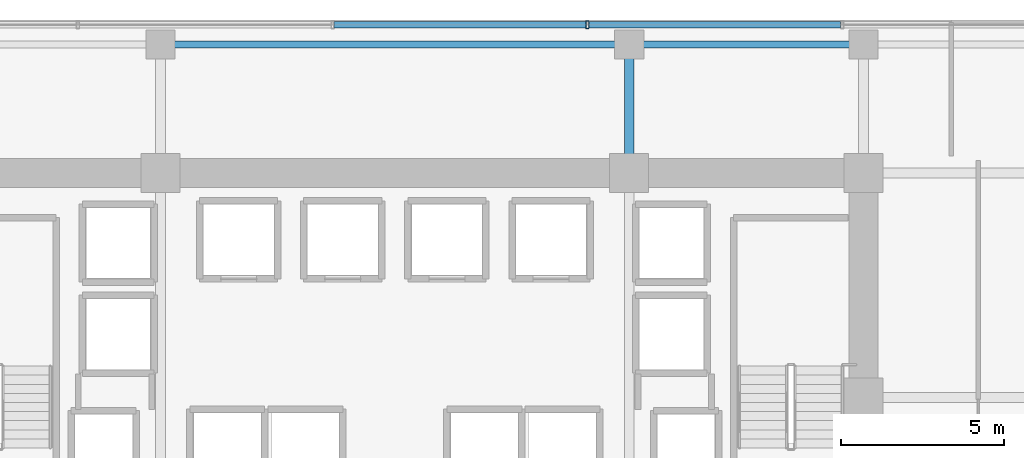
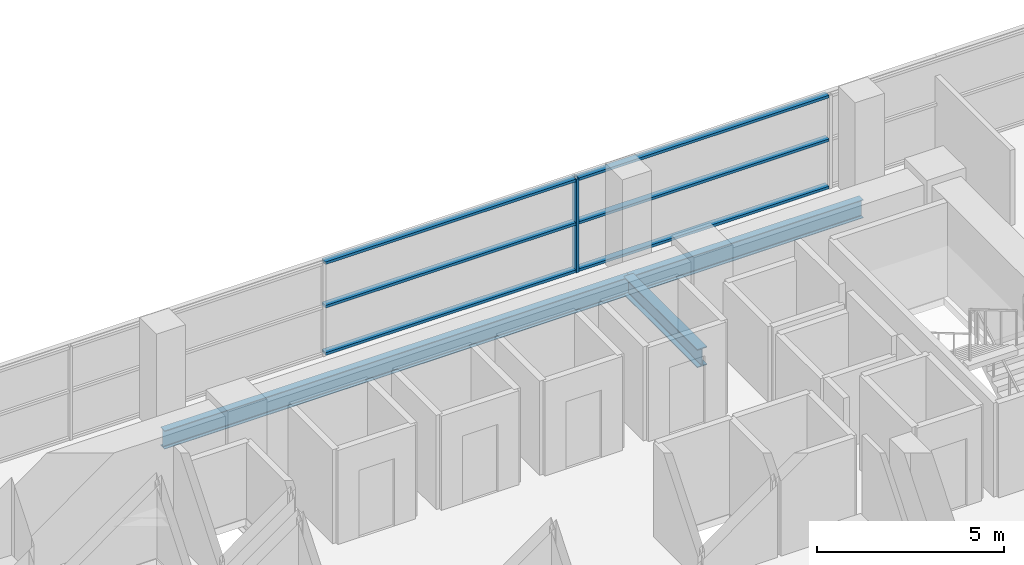
# One storey, part 17 of 28: 7 members, 3 beams, 1 element without a shape of its own.
"""IFC4 building model written with IfcOpenShell, lengths in metres."""

from ifc_helpers import new_model, si_unit, direction, frame, origin, origin_2d, place, context, subcontext, project, spatial, hollow_rectangle, i_section, extrude, source, transform, mapped, material, layer, layer_set, material_profile, profile_set, type_object, element, aggregate, save


model = new_model("IFC4")

# Units and contexts
model_context = context("Model", 3, precision=1e-05, world=origin(), true_north=direction((0.0, 1.0)))
body_context = subcontext(model_context, "Body", "Model", "MODEL_VIEW")
ifc_project = project(units=[si_unit("LENGTHUNIT", "METRE"), si_unit("AREAUNIT", "SQUARE_METRE"), si_unit("VOLUMEUNIT", "CUBIC_METRE"), si_unit("PLANEANGLEUNIT", "RADIAN"), si_unit("MASSUNIT", "GRAM", prefix="KILO")], contexts=[model_context])

# Site, building, storey
site_placement = place(None, origin())
site = spatial("IfcSite", under=ifc_project, at=site_placement, CompositionType="ELEMENT")
building_placement = place(site_placement, origin())
building = spatial("IfcBuilding", under=site, at=building_placement, Name="Zarnakvel Exchange Tower", CompositionType="ELEMENT")
storey_placement = place(building_placement, frame((0.0, 0.0, 57.10009765625)))
storey = spatial("IfcBuildingStorey", under=building, at=storey_placement, Name="L15", CompositionType="ELEMENT", Elevation=57.10009765625)

# Beams
ifc_material_1 = material(Name="Steel S355", Category="steel")
ifc_material_profile_1 = material_profile(ifc_material_1, i_section(OverallWidth=0.300048828125, OverallDepth=0.60009765625, WebThickness=0.015380859375, FlangeThickness=0.030029296875, FilletRadius=0.027099609375, at=origin_2d()))
ifc_profile_set_1 = profile_set([ifc_material_profile_1], Name="Steel S355")
beam_type_1 = type_object("IfcBeamType", Name="G-04", PredefinedType="BEAM", material=ifc_profile_set_1)
beam_1_placement = place(storey_placement, frame((7.199951171875, 13.5, -0.525146484375), z_axis=(0.0, 1.0, 0.0), x_axis=(-1.0, 0.0, 0.0)))
element("IfcBeam", 1, at=beam_1_placement, inside=storey, type_object=beam_type_1, Name="L15 Tower N-S Frame Beam", PredefinedType="BEAM", context=body_context, shape_type="SweptSolid", body=[
    extrude(i_section(OverallWidth=0.300048828125, OverallDepth=0.60009765625, WebThickness=0.015380859375, FlangeThickness=0.030029296875, FilletRadius=0.027099609375, at=origin_2d()), origin(), (0.0, 0.0, 1.0), 3.949951171875),
])
ifc_material_profile_2 = material_profile(ifc_material_1, i_section(OverallWidth=0.219970703125, OverallDepth=0.60009765625, WebThickness=0.011962890625, FlangeThickness=0.01904296875, FilletRadius=0.02392578125, at=origin_2d()))
ifc_profile_set_2 = profile_set([ifc_material_profile_2], Name="Steel S355")
beam_type_2 = type_object("IfcBeamType", Name="SP-01", PredefinedType="SPANDREL", material=ifc_profile_set_2)
beam_2_placement = place(storey_placement, frame((-7.199951171875, 17.449951171875, -0.525146484375), z_axis=(1.0, 0.0, 0.0), x_axis=(0.0, 1.0, 0.0)))
element("IfcBeam", 2, at=beam_2_placement, inside=storey, type_object=beam_type_2, Name="L15 Tower E-W Frame Beam", PredefinedType="SPANDREL", context=body_context, shape_type="SweptSolid", body=[
    extrude(i_section(OverallWidth=0.219970703125, OverallDepth=0.60009765625, WebThickness=0.011962890625, FlangeThickness=0.01904296875, FilletRadius=0.02392578125, at=origin_2d()), origin(), (0.0, 0.0, 1.0), 14.39990234375),
])
beam_3_placement = place(storey_placement, frame((7.199951171875, 17.449951171875, -0.525146484375), z_axis=(1.0, 0.0, 0.0), x_axis=(0.0, 1.0, 0.0)))
element("IfcBeam", 3, at=beam_3_placement, inside=storey, type_object=beam_type_2, Name="L15 Tower E-W Frame Beam", PredefinedType="SPANDREL", context=body_context, shape_type="SweptSolid", body=[
    extrude(i_section(OverallWidth=0.219970703125, OverallDepth=0.60009765625, WebThickness=0.011962890625, FlangeThickness=0.01904296875, FilletRadius=0.02392578125, at=origin_2d()), origin(), (0.0, 0.0, 1.0), 7.199951171875),
])

# Curtain wall, members
ifc_material_2 = material(Name="Architectural Bronze Anodised Aluminium", Category="aluminium")
ifc_layer = layer(ifc_material_2, 0.239990234375)
ifc_layer_set = layer_set([ifc_layer], Name="Architectural Bronze Anodised Aluminium")
curtain_wall_type = type_object("IfcCurtainWallType", Name="CW-02", PredefinedType="NOTDEFINED", material=ifc_layer_set)
curtain_wall_placement = place(storey_placement, origin())
curtain_wall = element("IfcCurtainWall", 4, at=curtain_wall_placement, inside=storey, type_object=curtain_wall_type, Name="L15 Curtain Wall CW-L15-N1 (CW-02)", PredefinedType="NOTDEFINED")
ifc_material_profile_3 = material_profile(ifc_material_2, hollow_rectangle(XDim=0.199951171875, YDim=0.0849609375, WallThickness=0.0048828125, at=origin_2d()))
ifc_profile_set_3 = profile_set([ifc_material_profile_3], Name="Architectural Bronze Anodised Aluminium")
member_type_1 = type_object("IfcMemberType", Name="CWT-02", PredefinedType="USERDEFINED", material=ifc_profile_set_3)
shared_shape_1 = source(origin(), body_context, "Body", "SweptSolid", [
    extrude(hollow_rectangle(XDim=0.199951171875, YDim=0.0849609375, WallThickness=0.0048828125, at=origin_2d()), origin(), (0.0, 0.0, 1.0), 7.738525390625),
])
member_1_placement = place(storey_placement, frame((5.959228515625, 18.06005859375, 0.04248046875), z_axis=(1.0, 0.0, 0.0), x_axis=(0.0, 1.0, 0.0)))
member_1 = element("IfcMember", 5, at=member_1_placement, type_object=member_type_1, Name="CW-02 transom 5.1", ObjectType="TRANSOM", PredefinedType="USERDEFINED", context=body_context, shape_type="MappedRepresentation", body=[
    mapped(shared_shape_1, transform((0.0, 0.0, 0.0), x_axis=(1.0, 0.0, 0.0), y_axis=(0.0, 1.0, 0.0), z_axis=(0.0, 0.0, 1.0), scale=1.0)),
])
member_2_placement = place(storey_placement, frame((5.959228515625, 18.06005859375, 1.588623046875), z_axis=(1.0, 0.0, 0.0), x_axis=(0.0, 1.0, 0.0)))
member_2 = element("IfcMember", 6, at=member_2_placement, type_object=member_type_1, Name="CW-02 transom 5.2", ObjectType="TRANSOM", PredefinedType="USERDEFINED", context=body_context, shape_type="MappedRepresentation", body=[
    mapped(shared_shape_1, transform((0.0, 0.0, 0.0), x_axis=(1.0, 0.0, 0.0), y_axis=(0.0, 1.0, 0.0), z_axis=(0.0, 0.0, 1.0), scale=1.0)),
])
member_3_placement = place(storey_placement, frame((5.959228515625, 18.06005859375, 3.012451171875), z_axis=(1.0, 0.0, 0.0), x_axis=(0.0, 1.0, 0.0)))
member_3 = element("IfcMember", 7, at=member_3_placement, type_object=member_type_1, Name="CW-02 transom 5.3", ObjectType="TRANSOM", PredefinedType="USERDEFINED", context=body_context, shape_type="MappedRepresentation", body=[
    mapped(shared_shape_1, transform((0.0, 0.0, 0.0), x_axis=(1.0, 0.0, 0.0), y_axis=(0.0, 1.0, 0.0), z_axis=(0.0, 0.0, 1.0), scale=1.0)),
])
shared_shape_2 = source(origin(), body_context, "Body", "SweptSolid", [
    extrude(hollow_rectangle(XDim=0.199951171875, YDim=0.0849609375, WallThickness=0.0048828125, at=origin_2d()), origin(), (0.0, 0.0, 1.0), 7.73876953125),
])
member_4_placement = place(storey_placement, frame((-1.869384765625, 18.06005859375, 0.04248046875), z_axis=(1.0, 0.0, 0.0), x_axis=(0.0, 1.0, 0.0)))
member_4 = element("IfcMember", 8, at=member_4_placement, type_object=member_type_1, Name="CW-02 transom 4.1", ObjectType="TRANSOM", PredefinedType="USERDEFINED", context=body_context, shape_type="MappedRepresentation", body=[
    mapped(shared_shape_2, transform((0.0, 0.0, 0.0), x_axis=(1.0, 0.0, 0.0), y_axis=(0.0, 1.0, 0.0), z_axis=(0.0, 0.0, 1.0), scale=1.0)),
])
member_5_placement = place(storey_placement, frame((-1.869384765625, 18.06005859375, 1.588623046875), z_axis=(1.0, 0.0, 0.0), x_axis=(0.0, 1.0, 0.0)))
member_5 = element("IfcMember", 9, at=member_5_placement, type_object=member_type_1, Name="CW-02 transom 4.2", ObjectType="TRANSOM", PredefinedType="USERDEFINED", context=body_context, shape_type="MappedRepresentation", body=[
    mapped(shared_shape_2, transform((0.0, 0.0, 0.0), x_axis=(1.0, 0.0, 0.0), y_axis=(0.0, 1.0, 0.0), z_axis=(0.0, 0.0, 1.0), scale=1.0)),
])
member_6_placement = place(storey_placement, frame((-1.869384765625, 18.06005859375, 3.012451171875), z_axis=(1.0, 0.0, 0.0), x_axis=(0.0, 1.0, 0.0)))
member_6 = element("IfcMember", 10, at=member_6_placement, type_object=member_type_1, Name="CW-02 transom 4.3", ObjectType="TRANSOM", PredefinedType="USERDEFINED", context=body_context, shape_type="MappedRepresentation", body=[
    mapped(shared_shape_2, transform((0.0, 0.0, 0.0), x_axis=(1.0, 0.0, 0.0), y_axis=(0.0, 1.0, 0.0), z_axis=(0.0, 0.0, 1.0), scale=1.0)),
])
ifc_material_profile_4 = material_profile(ifc_material_2, hollow_rectangle(XDim=0.239990234375, YDim=0.090087890625, WallThickness=0.006103515625, at=origin_2d()))
ifc_profile_set_4 = profile_set([ifc_material_profile_4], Name="Architectural Bronze Anodised Aluminium")
member_type_2 = type_object("IfcMemberType", Name="CWM-02", PredefinedType="MULLION", material=ifc_profile_set_4)
shared_shape_3 = source(origin(), body_context, "Body", "SweptSolid", [
    extrude(hollow_rectangle(XDim=0.239990234375, YDim=0.090087890625, WallThickness=0.006103515625, at=origin_2d()), origin(), (0.0, 0.0, 1.0), 3.054931640625),
])
member_7_placement = place(storey_placement, frame((5.914306640625, 18.06005859375, 0.0), z_axis=(0.0, 0.0, 1.0), x_axis=(0.0, 1.0, 0.0)))
member_7 = element("IfcMember", 11, at=member_7_placement, type_object=member_type_2, Name="CW-02 mullion 5", PredefinedType="MULLION", context=body_context, shape_type="MappedRepresentation", body=[
    mapped(shared_shape_3, transform((0.0, 0.0, 0.0), x_axis=(1.0, 0.0, 0.0), y_axis=(0.0, 1.0, 0.0), z_axis=(0.0, 0.0, 1.0), scale=1.0)),
])
aggregate(curtain_wall, [member_7, member_4, member_5, member_6, member_1, member_2, member_3])

save(model, "model.ifc")
